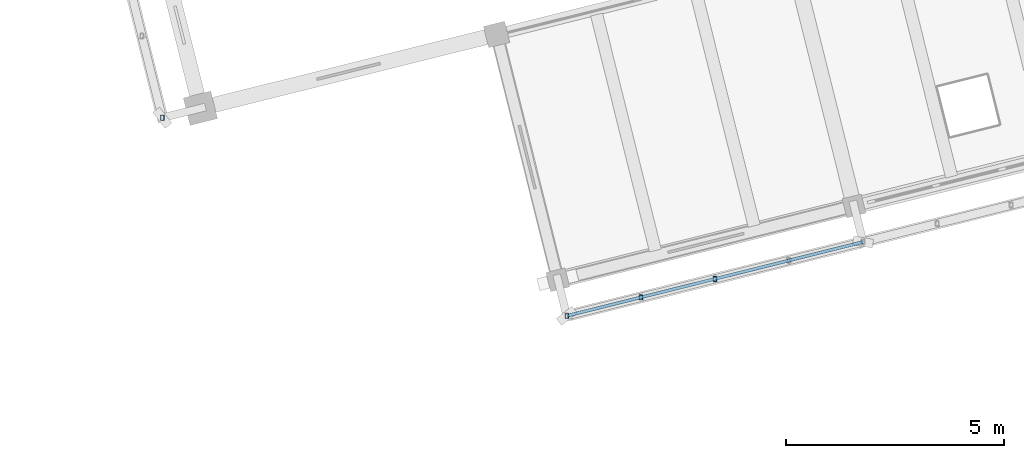
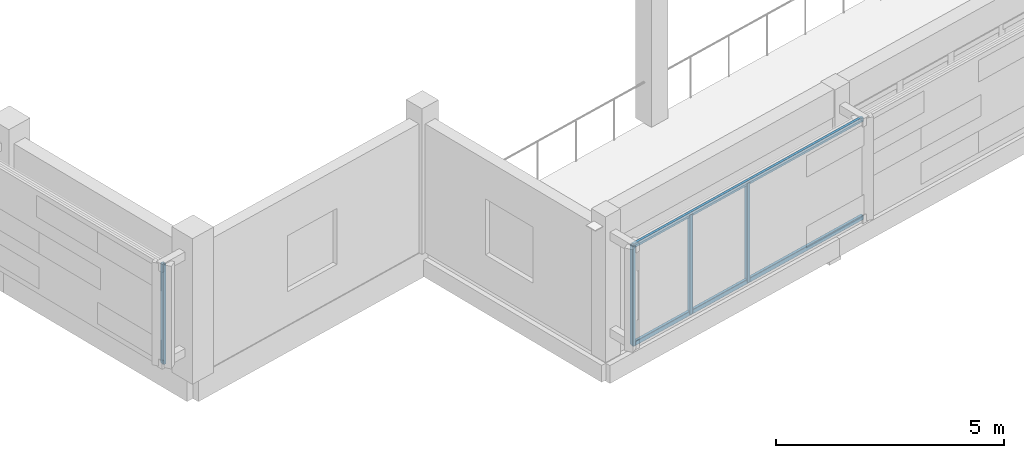
# One storey, part 4 of 117: 6 members.
"""IFC4 building model written with IfcOpenShell, lengths in metres."""

from ifc_helpers import new_model, si_unit, direction, frame, origin, origin_2d, place, context, subcontext, project, spatial, hollow_rectangle, extrude, material, material_profile, profile_set, type_object, element, save


model = new_model("IFC4")

# Units and contexts
model_context = context("Model", 3, precision=1e-05, world=origin(), true_north=direction((0.0, 1.0)))
body_context = subcontext(model_context, "Body", "Model", "MODEL_VIEW")
ifc_project = project(units=[si_unit("LENGTHUNIT", "METRE"), si_unit("AREAUNIT", "SQUARE_METRE"), si_unit("VOLUMEUNIT", "CUBIC_METRE"), si_unit("PLANEANGLEUNIT", "RADIAN"), si_unit("MASSUNIT", "GRAM", prefix="KILO")], contexts=[model_context])

# Site, building, storey
site_placement = place(None, origin())
site = spatial("IfcSite", under=ifc_project, at=site_placement, CompositionType="ELEMENT")
building_placement = place(site_placement, origin())
building = spatial("IfcBuilding", under=site, at=building_placement, Name="Cinderway Yard Community Centre", CompositionType="ELEMENT")
storey_placement = place(building_placement, frame((0.0, 0.0, 9.0)))
storey = spatial("IfcBuildingStorey", under=building, at=storey_placement, Name="L02", CompositionType="ELEMENT", Elevation=9.0)

# Members
ifc_material = material(Name="Steel S355", Category="steel")
ifc_material_profile = material_profile(ifc_material, hollow_rectangle(XDim=0.080078125, YDim=0.1201171875, WallThickness=0.00634765625, InnerFilletRadius=0.00634765625, OuterFilletRadius=0.0126953125, at=origin_2d()), Name="Steel S355")
ifc_profile_set = profile_set([ifc_material_profile], Name="Steel S355")
member_type = type_object("IfcMemberType", Name="ENV-MEM-SCREEN-RAIL-120", PredefinedType="STRINGER", material=ifc_profile_set)
member_placement = place(storey_placement, frame((18.93603515625, 24.89892578125, 0.68994140625), z_axis=(0.0, 0.0, 1.0), x_axis=(1.0, 0.0, 0.0)))
element("IfcMember", 1, at=member_placement, inside=storey, type_object=member_type, Name="Screen vertical mullion 0856", PredefinedType="STRINGER", context=body_context, shape_type="SweptSolid", body=[
    extrude(hollow_rectangle(XDim=0.080078125, YDim=0.1201171875, WallThickness=0.00634765625, InnerFilletRadius=0.00634765625, OuterFilletRadius=0.0126953125, at=origin_2d()), origin(), (0.0, 0.0, 1.0), 2.670166015625),
])
for number, where, z_axis, x_axis, name in (
    (2, (28.2109375, 20.35791015625, 0.7099609375), (0.970306409839, 0.241879042136, 0.0), (-0.241879042136, 0.970306409839, 0.0), "Screen support rail 0940-BOT"),
    (3, (28.2109375, 20.35791015625, 3.340087890625), (0.970306409839, 0.241879042136, 0.0), (-0.241879042136, 0.970306409839, 0.0), "Screen support rail 0941-TOP"),
):
    element("IfcMember", number, at=place(storey_placement, frame(where, z_axis=z_axis, x_axis=x_axis)), inside=storey, type_object=member_type, Name=name, PredefinedType="STRINGER", context=body_context, shape_type="SweptSolid", body=[
        extrude(hollow_rectangle(XDim=0.080078125, YDim=0.1201171875, WallThickness=0.00634765625, InnerFilletRadius=0.00634765625, OuterFilletRadius=0.0126953125, at=origin_2d()), origin(), (0.0, 0.0, 1.0), 6.999755859375),
    ])
for number, where, z_axis, x_axis, name in (
    (4, (28.2109375, 20.35791015625, 0.68994140625), (0.0, 0.0, 1.0), (1.0, 0.0, 0.0), "Screen vertical mullion 0942"),
    (5, (29.908935546875, 20.781005859375, 0.68994140625), (0.0, 0.0, 1.0), (1.0, 0.0, 0.0), "Screen vertical mullion 0943"),
    (6, (31.60693359375, 21.2041015625, 0.68994140625), (0.0, 0.0, 1.0), (1.0, 0.0, 0.0), "Screen vertical mullion 0944"),
):
    element("IfcMember", number, at=place(storey_placement, frame(where, z_axis=z_axis, x_axis=x_axis)), inside=storey, type_object=member_type, Name=name, PredefinedType="STRINGER", context=body_context, shape_type="SweptSolid", body=[
        extrude(hollow_rectangle(XDim=0.080078125, YDim=0.1201171875, WallThickness=0.00634765625, InnerFilletRadius=0.00634765625, OuterFilletRadius=0.0126953125, at=origin_2d()), origin(), (0.0, 0.0, 1.0), 2.670166015625),
    ])

save(model, "model.ifc")
